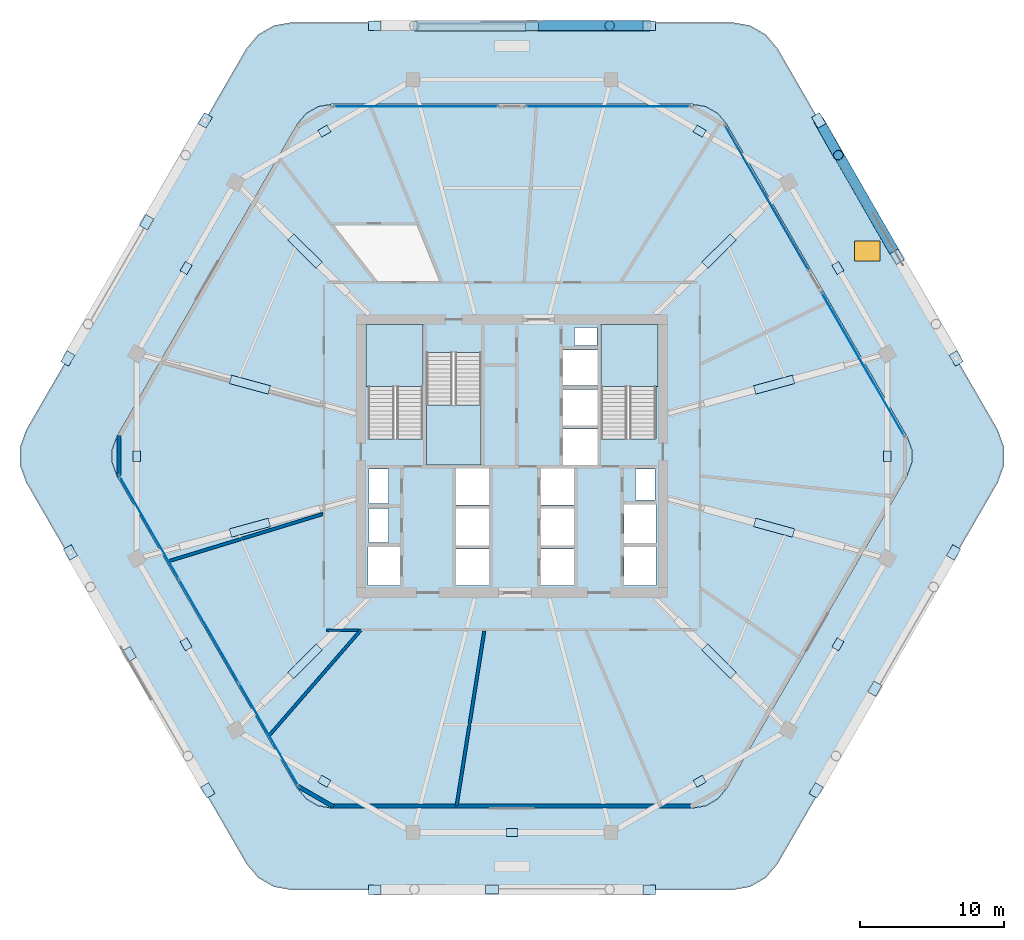
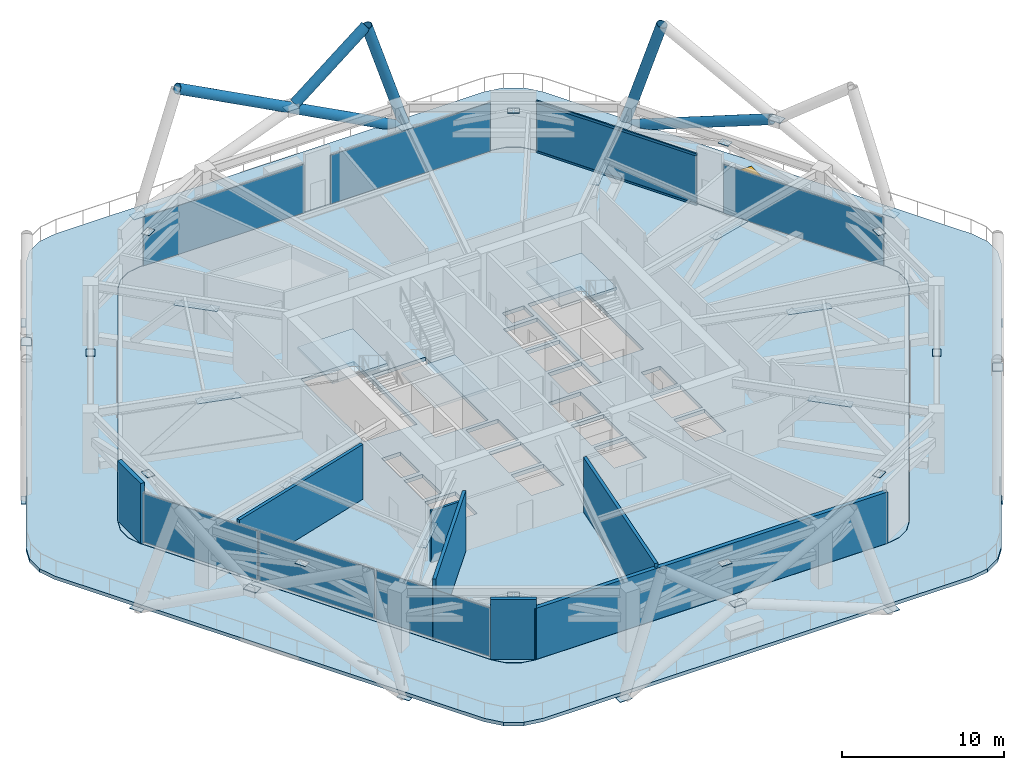
# One storey, part 12 of 20: 44 plates, 7 members, 7 walls, 5 slabs, 1 window, 1 opening, 8 elements without a shape of their own.
"""IFC4 building model written with IfcOpenShell, lengths in metres."""

from ifc_helpers import new_model, si_unit, direction, frame, frame_2d, origin, origin_2d, place, context, subcontext, project, spatial, polyline, rectangle, hollow_rectangle, hollow_circle, outline, extrude, material, layer, layer_set, material_profile, profile_set, type_object, element, fill, aggregate, save


model = new_model("IFC4")

# Units and contexts
model_context = context("Model", 3, precision=1e-05, world=origin(), true_north=direction((0.0, 1.0)))
body_context = subcontext(model_context, "Body", "Model", "MODEL_VIEW")
ifc_project = project(units=[si_unit("LENGTHUNIT", "METRE"), si_unit("AREAUNIT", "SQUARE_METRE"), si_unit("VOLUMEUNIT", "CUBIC_METRE"), si_unit("PLANEANGLEUNIT", "RADIAN"), si_unit("MASSUNIT", "GRAM", prefix="KILO")], contexts=[model_context])

# Site, building, storey
site_placement = place(None, origin())
site = spatial("IfcSite", under=ifc_project, at=site_placement, CompositionType="ELEMENT")
building_placement = place(site_placement, origin())
building = spatial("IfcBuilding", under=site, at=building_placement, Name="Zuhravey Tower", CompositionType="ELEMENT")
storey_placement = place(building_placement, frame((0.0, 0.0, 145.60009765625)))
storey = spatial("IfcBuildingStorey", under=building, at=storey_placement, Name="L36", CompositionType="ELEMENT", Elevation=145.60009765625)

# Members
ifc_material_1 = material(Name="Steel SM460", Category="steel")
ifc_material_profile_1 = material_profile(ifc_material_1, hollow_circle(Radius=0.355712890625, WallThickness=0.031982421875, at=origin_2d()), Name="CHS-711.2x32")
ifc_profile_set_1 = profile_set([ifc_material_profile_1], Name="Steel SM460")
member_type_1 = type_object("IfcMemberType", Name="Exoskeleton Zone 2 Diagrid CHS711x32", PredefinedType="BRACE", material=ifc_profile_set_1)
member_1_placement = place(storey_placement, frame((57.339111328125, 55.345703125, -0.47412109375), z_axis=(0.150143247355, -0.266653757917, 0.952025618701), x_axis=(0.871365298892, 0.490634809087, 0.0)))
element("IfcMember", 1, at=member_1_placement, inside=storey, type_object=member_type_1, Name="L36 Face 1 Diagrid Brace 4", PredefinedType="BRACE", context=body_context, shape_type="SweptSolid", body=[
    extrude(hollow_circle(Radius=0.355712890625, WallThickness=0.031982421875, at=origin_2d()), origin(), (0.0, 0.0, 1.0), 9.02294921875),
])
member_2_placement = place(storey_placement, frame((57.355712890625, 55.31689453125, -0.478271484375), z_axis=(0.464039168553, -0.806283617782, 0.366843805652), x_axis=(0.866708311418, 0.498815299404, 0.0)))
element("IfcMember", 2, at=member_2_placement, inside=storey, type_object=member_type_1, Name="L36 Face 1 Split Diagrid Brace 3A", PredefinedType="BRACE", context=body_context, shape_type="SweptSolid", body=[
    extrude(hollow_circle(Radius=0.355712890625, WallThickness=0.031982421875, at=origin_2d()), origin(), (0.0, 0.0, 1.0), 11.373779296875),
])
member_3_placement = place(storey_placement, frame((45.548583984375, 61.943115234375, -0.47412109375), z_axis=(-0.306022318215, 0.0, 0.95202433832), x_axis=(0.0, -1.0, 0.0)))
element("IfcMember", 3, at=member_3_placement, inside=storey, type_object=member_type_1, Name="L36 Face 2 Diagrid Brace 1", PredefinedType="BRACE", context=body_context, shape_type="SweptSolid", body=[
    extrude(hollow_circle(Radius=0.355712890625, WallThickness=0.031982421875, at=origin_2d()), origin(), (0.0, 0.0, 1.0), 9.02294921875),
])
member_4_placement = place(storey_placement, frame((45.51708984375, 61.943115234375, -0.47412109375), z_axis=(-0.884198660367, 0.0, 0.46711104569), x_axis=(0.0, -1.0, 0.0)))
element("IfcMember", 4, at=member_4_placement, inside=storey, type_object=member_type_1, Name="L36 Face 2 Diagrid Brace 2", PredefinedType="BRACE", context=body_context, shape_type="SweptSolid", body=[
    extrude(hollow_circle(Radius=0.355712890625, WallThickness=0.031982421875, at=origin_2d()), origin(), (0.0, 0.0, 1.0), 18.389892578125),
])
member_5_placement = place(storey_placement, frame((37.65673828125, 61.943115234375, 4.03662109375), z_axis=(0.780879769911, 0.0, 0.624681346724), x_axis=(0.0, 1.0, 0.0)))
element("IfcMember", 5, at=member_5_placement, inside=storey, type_object=member_type_1, Name="L36 Face 2 Split Diagrid Brace 3B", PredefinedType="BRACE", context=body_context, shape_type="SweptSolid", body=[
    extrude(hollow_circle(Radius=0.355712890625, WallThickness=0.031982421875, at=origin_2d()), origin(), (0.0, 0.0, 1.0), 6.519287109375),
])

# Curtain wall, members
ifc_material_2 = material(Name="Thermally broken anodised aluminium", Category="aluminium")
curtain_wall_type = type_object("IfcCurtainWallType", Name="Sky-Garden Tray Clerestory Curtain Wall CW5", PredefinedType="NOTDEFINED", material=ifc_material_2)
curtain_wall_1_placement = place(storey_placement, origin())
curtain_wall_1 = element("IfcCurtainWall", 6, at=curtain_wall_1_placement, inside=storey, type_object=curtain_wall_type, Name="L36 CW5 CW-L36-F1-1", PredefinedType="NOTDEFINED")
ifc_material_3 = material(Name="Anodised aluminium", Category="aluminium")
ifc_material_profile_2 = material_profile(ifc_material_3, hollow_rectangle(XDim=0.10009765625, YDim=0.179931640625, WallThickness=0.006103515625, at=origin_2d()), Name="ALU-RHS-100x180x6")
ifc_profile_set_2 = profile_set([ifc_material_profile_2], Name="Anodised aluminium")
member_type_2 = type_object("IfcMemberType", Name="Tall-Storey Transom 100x180", PredefinedType="USERDEFINED", material=ifc_profile_set_2)
member_6_placement = place(storey_placement, frame((50.870849609375, 54.908935546875, 0.0498046875), z_axis=(0.499994903902, -0.866028345998, 0.0), x_axis=(0.866028345998, 0.499994903902, 0.0)))
member_6 = element("IfcMember", 7, at=member_6_placement, type_object=member_type_2, Name="CW5 transom 1.1", ObjectType="TRANSOM", PredefinedType="USERDEFINED", context=body_context, shape_type="SweptSolid", body=[
    extrude(hollow_rectangle(XDim=0.10009765625, YDim=0.179931640625, WallThickness=0.006103515625, at=origin_2d()), origin(), (0.0, 0.0, 1.0), 11.4541015625),
])
member_7_placement = place(storey_placement, frame((50.870849609375, 54.908935546875, 3.81982421875), z_axis=(0.499994903902, -0.866028345998, 0.0), x_axis=(0.866028345998, 0.499994903902, 0.0)))
member_7 = element("IfcMember", 8, at=member_7_placement, type_object=member_type_2, Name="CW5 transom 1.2", ObjectType="TRANSOM", PredefinedType="USERDEFINED", context=body_context, shape_type="SweptSolid", body=[
    extrude(hollow_rectangle(XDim=0.10009765625, YDim=0.179931640625, WallThickness=0.006103515625, at=origin_2d()), origin(), (0.0, 0.0, 1.0), 11.4541015625),
])

# Plates
ifc_layer_1 = layer(ifc_material_1, 0.031982421875)
ifc_layer_set_1 = layer_set([ifc_layer_1], Name="Steel SM460")
plate_type_1 = type_object("IfcPlateType", Name="Belt Truss Setback Node Plate ND7", PredefinedType="SHEET", material=ifc_layer_set_1)
for number, where, z_axis, x_axis, name in (
    (9, (58.66650390625, 45.086669921875, 3.93408203125), (0.0, 0.0, 1.0), (-0.5, 0.866025403784, 0.0), "L36 Belt Truss Apex Gusset ND7-01"),
    (10, (49.0537109375, 54.60986328125, 3.93408203125), (0.0, 0.0, 1.0), (-0.866025403784, 0.5, 0.0), "L36 Belt Truss Apex Gusset ND7-02"),
    (11, (22.9462890625, 54.60986328125, 3.93408203125), (0.0, 0.0, 1.0), (-0.866025403784, -0.5, 0.0), "L36 Belt Truss Apex Gusset ND7-03"),
    (12, (13.33349609375, 45.086669921875, 3.93408203125), (0.0, 0.0, 1.0), (-0.5, -0.866025403784, 0.0), "L36 Belt Truss Apex Gusset ND7-04"),
    (13, (9.892333984375, 32.0, 3.93408203125), (0.0, 0.0, 1.0), (0.0, -1.0, 0.0), "L36 Belt Truss Apex Gusset ND7-05"),
    (14, (13.33349609375, 18.91357421875, 3.93408203125), (0.0, 0.0, 1.0), (0.5, -0.866025403784, 0.0), "L36 Belt Truss Apex Gusset ND7-06"),
    (15, (22.9462890625, 9.39013671875, 3.93408203125), (0.0, 0.0, 1.0), (0.866025403784, -0.5, 0.0), "L36 Belt Truss Apex Gusset ND7-07"),
    (16, (36.0, 5.826904296875, 3.93408203125), (0.0, 0.0, 1.0), (1.0, 0.0, 0.0), "L36 Belt Truss Apex Gusset ND7-08"),
    (17, (49.0537109375, 9.39013671875, 3.93408203125), (0.0, 0.0, 1.0), (0.866025403784, 0.5, 0.0), "L36 Belt Truss Apex Gusset ND7-09"),
    (18, (58.66650390625, 18.91357421875, 3.93408203125), (0.0, 0.0, 1.0), (0.5, 0.866025403784, 0.0), "L36 Belt Truss Apex Gusset ND7-10"),
    (19, (62.107666015625, 32.0, 3.93408203125), (0.0, 0.0, 1.0), (0.0, 1.0, 0.0), "L36 Belt Truss Apex Gusset ND7-11"),
):
    element("IfcPlate", number, at=place(storey_placement, frame(where, z_axis=z_axis, x_axis=x_axis)), inside=storey, type_object=plate_type_1, Name=name, PredefinedType="SHEET", context=body_context, shape_type="SweptSolid", body=[
        extrude(rectangle(XDim=0.739990234375, YDim=0.5400390625, at=origin_2d()), origin(), (0.0, 0.0, 1.0), 0.031982421875),
    ])
ifc_layer_2 = layer(ifc_material_1, 0.035888671875)
ifc_layer_set_2 = layer_set([ifc_layer_2], Name="Steel SM460")
plate_type_2 = type_object("IfcPlateType", Name="Exoskeleton Zone 2 Node Plate ND2", PredefinedType="SHEET", material=ifc_layer_set_2)
for number, where, z_axis, x_axis, name in (
    (20, (66.890869140625, 38.8017578125, -0.51220703125), (0.0, 0.0, 1.0), (-0.5, 0.866025403784, 0.0), "L36 Exoskeleton Node Gusset L36-01"),
    (21, (57.3359375, 55.351318359375, -0.51220703125), (0.0, 0.0, 1.0), (-0.5, 0.866025403784, 0.0), "L36 Exoskeleton Node Gusset L36-02"),
    (22, (45.554931640625, 61.943115234375, -0.51220703125), (0.0, 0.0, 1.0), (-1.0, 0.0, 0.0), "L36 Exoskeleton Node Gusset L36-03"),
    (23, (26.445068359375, 61.943115234375, -0.51220703125), (0.0, 0.0, 1.0), (-1.0, 0.0, 0.0), "L36 Exoskeleton Node Gusset L36-04"),
    (24, (14.6640625, 55.351318359375, -0.51220703125), (0.0, 0.0, 1.0), (-0.5, -0.866025403784, 0.0), "L36 Exoskeleton Node Gusset L36-05"),
    (25, (5.109130859375, 38.8017578125, -0.51220703125), (0.0, 0.0, 1.0), (-0.5, -0.866025403784, 0.0), "L36 Exoskeleton Node Gusset L36-06"),
    (26, (5.291015625, 25.30322265625, -0.51220703125), (0.0, 0.0, 1.0), (0.5, -0.866025403784, 0.0), "L36 Exoskeleton Node Gusset L36-07"),
    (27, (14.845947265625, 8.753662109375, -0.51220703125), (0.0, 0.0, 1.0), (0.5, -0.866025403784, 0.0), "L36 Exoskeleton Node Gusset L36-08"),
    (28, (26.445068359375, 1.846923828125, -0.51220703125), (0.0, 0.0, 1.0), (1.0, 0.0, 0.0), "L36 Exoskeleton Node Gusset L36-09"),
    (29, (45.554931640625, 1.846923828125, -0.51220703125), (0.0, 0.0, 1.0), (1.0, 0.0, 0.0), "L36 Exoskeleton Node Gusset L36-10"),
    (30, (57.154052734375, 8.753662109375, -0.51220703125), (0.0, 0.0, 1.0), (0.5, 0.866025403784, 0.0), "L36 Exoskeleton Node Gusset L36-11"),
    (31, (66.708984375, 25.30322265625, -0.51220703125), (0.0, 0.0, 1.0), (0.5, 0.866025403784, 0.0), "L36 Exoskeleton Node Gusset L36-12"),
    (32, (62.793701171875, 45.867919921875, 3.802734375), (0.0, 0.0, 1.0), (-0.5, 0.866025403784, 0.0), "L36 Face 1 Diagrid X-Crossing Plate"),
    (33, (37.386962890625, 61.943115234375, 3.802734375), (0.0, 0.0, 1.0), (-1.0, 0.0, 0.0), "L36 Face 2 Diagrid X-Crossing Plate"),
    (34, (10.593017578125, 48.270263671875, 3.802734375), (0.0, 0.0, 1.0), (-0.5, -0.866025403784, 0.0), "L36 Face 3 Diagrid X-Crossing Plate"),
    (35, (9.375, 18.2294921875, 3.802734375), (0.0, 0.0, 1.0), (0.5, -0.866025403784, 0.0), "L36 Face 4 Diagrid X-Crossing Plate"),
    (36, (34.613037109375, 1.86181640625, 3.802734375), (0.0, 0.0, 1.0), (1.0, 0.0, 0.0), "L36 Face 5 Diagrid X-Crossing Plate"),
    (37, (61.238037109375, 15.8271484375, 3.802734375), (0.0, 0.0, 1.0), (0.5, 0.866025403784, 0.0), "L36 Face 6 Diagrid X-Crossing Plate"),
):
    element("IfcPlate", number, at=place(storey_placement, frame(where, z_axis=z_axis, x_axis=x_axis)), inside=storey, type_object=plate_type_2, Name=name, PredefinedType="SHEET", context=body_context, shape_type="SweptSolid", body=[
        extrude(rectangle(XDim=0.8798828125, YDim=0.639892578125, at=origin_2d()), origin(), (0.0, 0.0, 1.0), 0.035888671875),
    ])
ifc_layer_3 = layer(ifc_material_1, 0.035888671875)
ifc_layer_set_3 = layer_set([ifc_layer_3], Name="Steel SM460")
plate_type_3 = type_object("IfcPlateType", Name="Outrigger Core Node Plate ND6", PredefinedType="SHEET", material=ifc_layer_set_3)
for number, where, z_axis, x_axis, name in (
    (38, (54.23095703125, 36.976318359375, 3.86328125), (0.0, 0.0, 1.0), (0.964695449838, 0.263367972734, 0.0), "L36 Outrigger Apex Node Plate ND6-01M"),
    (39, (50.40185546875, 46.267822265625, 3.86328125), (0.0, 0.0, 1.0), (0.71043107985, 0.703766780108, 0.0), "L36 Outrigger Apex Node Plate ND6-02M"),
    (40, (21.59814453125, 46.267822265625, 3.86328125), (0.0, 0.0, 1.0), (-0.71043107985, 0.703766780108, 0.0), "L36 Outrigger Apex Node Plate ND6-03M"),
    (41, (17.76904296875, 36.976318359375, 3.86328125), (0.0, 0.0, 1.0), (-0.964695449838, 0.263367972734, 0.0), "L36 Outrigger Apex Node Plate ND6-04M"),
    (42, (17.76904296875, 27.023681640625, 3.86328125), (0.0, 0.0, 1.0), (-0.964695449838, -0.263367972734, 0.0), "L36 Outrigger Apex Node Plate ND6-05M"),
    (43, (21.59814453125, 17.732177734375, 3.86328125), (0.0, 0.0, 1.0), (-0.71043107985, -0.703766780108, 0.0), "L36 Outrigger Apex Node Plate ND6-06M"),
    (44, (50.40185546875, 17.732177734375, 3.86328125), (0.0, 0.0, 1.0), (0.71043107985, -0.703766780108, 0.0), "L36 Outrigger Apex Node Plate ND6-07M"),
    (45, (54.23095703125, 27.023681640625, 3.86328125), (0.0, 0.0, 1.0), (0.964695449838, -0.263367972734, 0.0), "L36 Outrigger Apex Node Plate ND6-08M"),
):
    element("IfcPlate", number, at=place(storey_placement, frame(where, z_axis=z_axis, x_axis=x_axis)), inside=storey, type_object=plate_type_3, Name=name, PredefinedType="SHEET", context=body_context, shape_type="SweptSolid", body=[
        extrude(rectangle(XDim=2.800048828125, YDim=0.60009765625, at=origin_2d()), origin(), (0.0, 0.0, 1.0), 0.035888671875),
    ])

# Slab
ifc_material_4 = material(Name="Concrete C50/60", Category="concrete")
ifc_layer_4 = layer(ifc_material_4, 0.280029296875)
ifc_layer_set_4 = layer_set([ifc_layer_4], Name="Concrete C50/60")
slab_type_1 = type_object("IfcSlabType", Name="School Composite Floor Slab 280", PredefinedType="FLOOR", material=ifc_layer_set_4)
slab_1_placement = place(storey_placement, frame((0.0, 0.0, -0.280029296875)))
element("IfcSlab", 46, at=slab_1_placement, inside=storey, type_object=slab_type_1, Name="L36 Floor Slab FS28", PredefinedType="FLOOR", context=body_context, shape_type="SweptSolid", body=[
    extrude(outline(polyline([(63.465087890625, 30.625), (63.7919921875, 31.5224609375), (63.7919921875, 32.4775390625), (63.465087890625, 33.375), (50.92333984375, 55.09814453125), (50.3095703125, 55.82958984375), (49.482421875, 56.307373046875), (48.541748046875, 56.47314453125), (23.458251953125, 56.47314453125), (22.517578125, 56.307373046875), (21.6904296875, 55.82958984375), (21.07666015625, 55.09814453125), (8.534912109375, 33.375), (8.2080078125, 32.4775390625), (8.2080078125, 31.5224609375), (8.534912109375, 30.625), (21.07666015625, 8.90185546875), (21.6904296875, 8.17041015625), (22.517578125, 7.692626953125), (23.458251953125, 7.52685546875), (48.541748046875, 7.52685546875), (49.482421875, 7.692626953125), (50.3095703125, 8.17041015625), (50.92333984375, 8.90185546875), (63.465087890625, 30.625)]), holes=[polyline([(29.800048828125, 33.20068359375), (29.800048828125, 41.0), (26.0, 41.0), (26.0, 33.20068359375), (29.800048828125, 33.20068359375)]), polyline([(46.0, 33.20068359375), (46.0, 41.0), (42.199951171875, 41.0), (42.199951171875, 33.20068359375), (46.0, 33.20068359375)]), polyline([(30.050048828125, 39.199462890625), (30.050048828125, 31.39990234375), (33.85009765625, 31.39990234375), (33.85009765625, 39.199462890625), (30.050048828125, 39.199462890625)]), polyline([(32.10009765625, 23.0), (34.39990234375, 23.0), (34.39990234375, 25.550048828125), (32.10009765625, 25.550048828125), (32.10009765625, 23.0)]), polyline([(32.10009765625, 25.800048828125), (34.39990234375, 25.800048828125), (34.39990234375, 28.35009765625), (32.10009765625, 28.35009765625), (32.10009765625, 25.800048828125)]), polyline([(32.10009765625, 28.60009765625), (34.39990234375, 28.60009765625), (34.39990234375, 31.14990234375), (32.10009765625, 31.14990234375), (32.10009765625, 28.60009765625)]), polyline([(38.0, 23.0), (40.300048828125, 23.0), (40.300048828125, 25.550048828125), (38.0, 25.550048828125), (38.0, 23.0)]), polyline([(38.0, 25.800048828125), (40.300048828125, 25.800048828125), (40.300048828125, 28.35009765625), (38.0, 28.35009765625), (38.0, 25.800048828125)]), polyline([(38.0, 28.60009765625), (40.300048828125, 28.60009765625), (40.300048828125, 31.14990234375), (38.0, 31.14990234375), (38.0, 28.60009765625)]), polyline([(39.550048828125, 31.39990234375), (41.949951171875, 31.39990234375), (41.949951171875, 33.89990234375), (39.550048828125, 33.89990234375), (39.550048828125, 31.39990234375)]), polyline([(39.550048828125, 34.14990234375), (41.949951171875, 34.14990234375), (41.949951171875, 36.64990234375), (39.550048828125, 36.64990234375), (39.550048828125, 34.14990234375)]), polyline([(39.550048828125, 36.89990234375), (41.949951171875, 36.89990234375), (41.949951171875, 39.39990234375), (39.550048828125, 39.39990234375), (39.550048828125, 36.89990234375)]), polyline([(26.0, 23.0), (28.199951171875, 23.0), (28.199951171875, 25.699951171875), (26.0, 25.699951171875), (26.0, 23.0)]), polyline([(43.800048828125, 23.0), (46.0, 23.0), (46.0, 25.699951171875), (43.800048828125, 25.699951171875), (43.800048828125, 23.0)]), polyline([(43.800048828125, 25.949951171875), (46.0, 25.949951171875), (46.0, 28.64990234375), (43.800048828125, 28.64990234375), (43.800048828125, 25.949951171875)]), polyline([(26.050048828125, 26.0), (27.39990234375, 26.0), (27.39990234375, 28.35009765625), (26.050048828125, 28.35009765625), (26.050048828125, 26.0)]), polyline([(26.050048828125, 28.699951171875), (27.39990234375, 28.699951171875), (27.39990234375, 31.10009765625), (26.050048828125, 31.10009765625), (26.050048828125, 28.699951171875)]), polyline([(44.60009765625, 28.949951171875), (45.949951171875, 28.949951171875), (45.949951171875, 31.10009765625), (44.60009765625, 31.10009765625), (44.60009765625, 28.949951171875)]), polyline([(40.35009765625, 39.699951171875), (41.89990234375, 39.699951171875), (41.89990234375, 40.949951171875), (40.35009765625, 40.949951171875), (40.35009765625, 39.699951171875)])]), origin(), (0.0, 0.0, 1.0), 0.280029296875),
])

# Slab, opening, window
ifc_layer_5 = layer(ifc_material_4, 0.260009765625)
ifc_layer_set_5 = layer_set([ifc_layer_5], Name="Concrete C50/60")
slab_type_2 = type_object("IfcSlabType", Name="Sky-Playground & Garden Tray Slab 260", PredefinedType="FLOOR", material=ifc_layer_set_5)
slab_2_placement = place(storey_placement, frame((0.0, 0.0, -0.260009765625)))
slab_2 = element("IfcSlab", 47, at=slab_2_placement, inside=storey, type_object=slab_type_2, Name="L36 Sky-Garden Perimeter Tray GT26", PredefinedType="FLOOR", context=body_context, shape_type="SweptSolid", body=[
    extrude(outline(polyline([(69.787109375, 30.175048828125), (70.220703125, 31.3662109375), (70.220703125, 32.6337890625), (69.787109375, 33.824951171875), (54.47412109375, 60.34814453125), (53.6591796875, 61.319091796875), (52.5615234375, 61.952880859375), (51.31298828125, 62.173095703125), (20.68701171875, 62.173095703125), (19.4384765625, 61.952880859375), (18.3408203125, 61.319091796875), (17.52587890625, 60.34814453125), (2.212890625, 33.824951171875), (1.779296875, 32.6337890625), (1.779296875, 31.3662109375), (2.212890625, 30.175048828125), (17.52587890625, 3.65185546875), (18.3408203125, 2.680908203125), (19.4384765625, 2.047119140625), (20.68701171875, 1.826904296875), (51.31298828125, 1.826904296875), (52.5615234375, 2.047119140625), (53.6591796875, 2.680908203125), (54.47412109375, 3.65185546875), (69.787109375, 30.175048828125)]), holes=[polyline([(63.480224609375, 30.625), (63.806884765625, 31.5224609375), (63.806884765625, 32.4775390625), (63.480224609375, 33.375), (50.930908203125, 55.111083984375), (50.31689453125, 55.8427734375), (49.489990234375, 56.3203125), (48.54931640625, 56.486083984375), (23.45068359375, 56.486083984375), (22.510009765625, 56.3203125), (21.68310546875, 55.8427734375), (21.069091796875, 55.111083984375), (8.519775390625, 33.375), (8.193115234375, 32.4775390625), (8.193115234375, 31.5224609375), (8.519775390625, 30.625), (21.069091796875, 8.888916015625), (21.68310546875, 8.1572265625), (22.510009765625, 7.6796875), (23.45068359375, 7.513916015625), (48.54931640625, 7.513916015625), (49.489990234375, 7.6796875), (50.31689453125, 8.1572265625), (50.930908203125, 8.888916015625), (63.480224609375, 30.625)])]), origin(), (0.0, 0.0, 1.0), 0.260009765625),
])
opening_placement = place(slab_2_placement, frame((60.71240234375, 46.267578125, 0.0)))
opening = element("IfcOpeningElement", 48, at=opening_placement, cuts=slab_2, Name="Opening RL1", PredefinedType="OPENING", context=body_context, shape_type="SweptSolid", body=[
    extrude(rectangle(XDim=1.800048828125, YDim=1.39990234375, at=origin_2d()), origin(), (0.0, 0.0, 1.0), 0.260009765625),
])
ifc_material_5 = material(Name="Thermally broken aluminium and laminated safety glass", Category="aluminium")
window_type = type_object("IfcWindowType", Name="Play-Deck Daylight Rooflight 1800x2200", PartitioningType="SINGLE_PANEL", PredefinedType="SKYLIGHT", material=ifc_material_5)
window_placement = place(opening_placement, frame((0.0, 0.0, 0.2099609375)))
window = element("IfcWindow", 49, at=window_placement, inside=storey, type_object=window_type, Name="L36 Play-Deck Daylight Rooflight RL1-1", OverallHeight=1.39990234375, OverallWidth=1.800048828125, PartitioningType="SINGLE_PANEL", PredefinedType="SKYLIGHT", context=body_context, shape_type="SweptSolid", body=[
    extrude(rectangle(XDim=1.800048828125, YDim=1.39990234375, at=origin_2d()), origin(), (0.0, 0.0, 1.0), 0.050048828125),
])
fill(opening, window)

# Stair, slab
ifc_material_6 = material(Name="Concrete C40/50", Category="concrete")
stair_type = type_object("IfcStairType", Name="Refuge Storey Stair Assembly 4800", PredefinedType="HALF_TURN_STAIR", material=ifc_material_6)
stair_1_placement = place(storey_placement, origin())
stair_1 = element("IfcStair", 50, at=stair_1_placement, inside=storey, type_object=stair_type, Name="L36 Core Exit Stair ST1", PredefinedType="HALF_TURN_STAIR")
ifc_layer_6 = layer(ifc_material_6, 0.199951171875)
ifc_layer_set_6 = layer_set([ifc_layer_6], Name="Concrete C40/50")
slab_type_3 = type_object("IfcSlabType", Name="Stair Landing Slab 200", PredefinedType="LANDING", material=ifc_layer_set_6)
slab_3_placement = place(storey_placement, frame((0.0, 0.0, 2.199951171875)))
slab_3 = element("IfcSlab", 51, at=slab_3_placement, type_object=slab_type_3, Name="ST1 landing 1", PredefinedType="LANDING", context=body_context, shape_type="SweptSolid", body=[
    extrude(outline(polyline([(29.800048828125, 36.840087890625), (29.800048828125, 41.14794921875), (25.85205078125, 41.14794921875), (25.85205078125, 36.840087890625), (29.800048828125, 36.840087890625)])), origin(), (0.0, 0.0, 1.0), 0.199951171875),
])
aggregate(stair_1, [slab_3])

stair_2_placement = place(storey_placement, origin())
stair_2 = element("IfcStair", 52, at=stair_2_placement, inside=storey, type_object=stair_type, Name="L36 Core Exit Stair ST2", PredefinedType="HALF_TURN_STAIR")
slab_4_placement = place(storey_placement, frame((0.0, 0.0, 2.199951171875)))
slab_4 = element("IfcSlab", 53, at=slab_4_placement, type_object=slab_type_3, Name="ST2 landing 1", PredefinedType="LANDING", context=body_context, shape_type="SweptSolid", body=[
    extrude(outline(polyline([(46.14794921875, 36.840087890625), (46.14794921875, 41.14794921875), (42.199951171875, 41.14794921875), (42.199951171875, 36.840087890625), (46.14794921875, 36.840087890625)])), origin(), (0.0, 0.0, 1.0), 0.199951171875),
])
aggregate(stair_2, [slab_4])

stair_3_placement = place(storey_placement, origin())
stair_3 = element("IfcStair", 54, at=stair_3_placement, inside=storey, type_object=stair_type, Name="L36 Core Exit Stair ST3", PredefinedType="HALF_TURN_STAIR")
slab_5_placement = place(storey_placement, frame((0.0, 0.0, 2.199951171875)))
slab_5 = element("IfcSlab", 55, at=slab_5_placement, type_object=slab_type_3, Name="ST3 landing 1", PredefinedType="LANDING", context=body_context, shape_type="SweptSolid", body=[
    extrude(outline(polyline([(30.050048828125, 35.56005859375), (30.050048828125, 31.39990234375), (33.85009765625, 31.39990234375), (33.85009765625, 35.56005859375), (30.050048828125, 35.56005859375)])), origin(), (0.0, 0.0, 1.0), 0.199951171875),
])
aggregate(stair_3, [slab_5])

# Curtain wall, plates
curtain_wall_2_placement = place(storey_placement, origin())
curtain_wall_2 = element("IfcCurtainWall", 56, at=curtain_wall_2_placement, inside=storey, type_object=curtain_wall_type, Name="L36 CW5 CW-L36-F4-1", PredefinedType="NOTDEFINED")
ifc_material_7 = material(Name="Triple low-E insulated vision glass", Category="glass")
ifc_layer_7 = layer(ifc_material_7, 0.0419921875)
ifc_layer_set_7 = layer_set([ifc_layer_7], Name="Triple low-E insulated vision glass")
plate_type_4 = type_object("IfcPlateType", Name="Triple Low-E Vision Panel", PredefinedType="CURTAIN_PANEL", material=ifc_layer_set_7)
plate_1_placement = place(storey_placement, frame((19.08251953125, 12.6357421875, 0.099853515625), z_axis=(0.0, 0.0, 1.0), x_axis=(-0.499999704154, 0.866025574591, 0.0)))
plate_1 = element("IfcPlate", 57, at=plate_1_placement, type_object=plate_type_4, Name="CW5 panel 1.1", PredefinedType="CURTAIN_PANEL", context=body_context, shape_type="SweptSolid", body=[
    extrude(rectangle(XDim=8.186279296875, YDim=0.0419921875, at=origin_2d()), origin(), (0.0, 0.0, 1.0), 3.669921875),
])
plate_2_placement = place(storey_placement, frame((14.927001953125, 19.83349609375, 0.099853515625), z_axis=(0.0, 0.0, 1.0), x_axis=(-0.499999704154, 0.866025574591, 0.0)))
plate_2 = element("IfcPlate", 58, at=plate_2_placement, type_object=plate_type_4, Name="CW5 panel 2.1", PredefinedType="CURTAIN_PANEL", context=body_context, shape_type="SweptSolid", body=[
    extrude(rectangle(XDim=8.236083984375, YDim=0.0419921875, at=origin_2d()), origin(), (0.0, 0.0, 1.0), 3.669921875),
])
plate_3_placement = place(storey_placement, frame((10.771240234375, 27.03125, 0.099853515625), z_axis=(0.0, 0.0, 1.0), x_axis=(-0.499999704154, 0.866025574591, 0.0)))
plate_3 = element("IfcPlate", 59, at=plate_3_placement, type_object=plate_type_4, Name="CW5 panel 3.1", PredefinedType="CURTAIN_PANEL", context=body_context, shape_type="SweptSolid", body=[
    extrude(rectangle(XDim=8.186279296875, YDim=0.0419921875, at=origin_2d()), origin(), (0.0, 0.0, 1.0), 3.669921875),
])
aggregate(curtain_wall_2, [plate_1, plate_2, plate_3])

# Curtain wall, plate
curtain_wall_3_placement = place(storey_placement, origin())
curtain_wall_3 = element("IfcCurtainWall", 60, at=curtain_wall_3_placement, inside=storey, type_object=curtain_wall_type, Name="L36 CW5 CW-L36-F2-1", PredefinedType="NOTDEFINED")
plate_4_placement = place(storey_placement, frame((29.32275390625, 56.3330078125, 0.099853515625), z_axis=(0.0, 0.0, 1.0), x_axis=(1.0, 0.0, 0.0)))
plate_4 = element("IfcPlate", 61, at=plate_4_placement, type_object=plate_type_4, Name="CW5 panel 1.1", PredefinedType="CURTAIN_PANEL", context=body_context, shape_type="SweptSolid", body=[
    extrude(rectangle(XDim=11.454345703125, YDim=0.0419921875, at=origin_2d()), origin(), (0.0, 0.0, 1.0), 3.669921875),
])
aggregate(curtain_wall_3, [plate_4])

curtain_wall_4_placement = place(storey_placement, origin())
curtain_wall_4 = element("IfcCurtainWall", 62, at=curtain_wall_4_placement, inside=storey, type_object=curtain_wall_type, Name="L36 CW5 CW-L36-F2-2", PredefinedType="NOTDEFINED")
plate_5_placement = place(storey_placement, frame((42.67724609375, 56.3330078125, 0.099853515625), z_axis=(0.0, 0.0, 1.0), x_axis=(1.0, 0.0, 0.0)))
plate_5 = element("IfcPlate", 63, at=plate_5_placement, type_object=plate_type_4, Name="CW5 panel 1.1", PredefinedType="CURTAIN_PANEL", context=body_context, shape_type="SweptSolid", body=[
    extrude(rectangle(XDim=11.454345703125, YDim=0.0419921875, at=origin_2d()), origin(), (0.0, 0.0, 1.0), 3.669921875),
])
aggregate(curtain_wall_4, [plate_5])

# Plate
plate_6_placement = place(storey_placement, frame((53.734375, 49.94921875, 0.099853515625), z_axis=(0.0, 0.0, 1.0), x_axis=(0.499997520307, -0.866026835431, 0.0)))
plate_6 = element("IfcPlate", 64, at=plate_6_placement, type_object=plate_type_4, Name="CW5 panel 1.1", PredefinedType="CURTAIN_PANEL", context=body_context, shape_type="SweptSolid", body=[
    extrude(rectangle(XDim=11.454345703125, YDim=0.0419921875, at=origin_2d()), origin(), (0.0, 0.0, 1.0), 3.669921875),
])

aggregate(curtain_wall_1, [member_6, member_7, plate_6])

# Curtain wall, plate
curtain_wall_5_placement = place(storey_placement, origin())
curtain_wall_5 = element("IfcCurtainWall", 65, at=curtain_wall_5_placement, inside=storey, type_object=curtain_wall_type, Name="L36 CW5 CW-L36-F1-2", PredefinedType="NOTDEFINED")
plate_7_placement = place(storey_placement, frame((60.41162109375, 38.384033203125, 0.099853515625), z_axis=(0.0, 0.0, 1.0), x_axis=(0.50000395571, -0.866023119942, 0.0)))
plate_7 = element("IfcPlate", 66, at=plate_7_placement, type_object=plate_type_4, Name="CW5 panel 1.1", PredefinedType="CURTAIN_PANEL", context=body_context, shape_type="SweptSolid", body=[
    extrude(rectangle(XDim=11.454345703125, YDim=0.0419921875, at=origin_2d()), origin(), (0.0, 0.0, 1.0), 3.669921875),
])
aggregate(curtain_wall_5, [plate_7])

# Walls
ifc_material_8 = material(Name="Gypsum fire-rated stud partition")
ifc_layer_8 = layer(ifc_material_8, 0.159912109375)
ifc_layer_set_8 = layer_set([ifc_layer_8], Name="Gypsum fire-rated stud partition")
wall_type_1 = type_object("IfcWallType", Name="Corridor Fire Partition 160", PredefinedType="PARTITIONING", material=ifc_layer_set_8)
wall_1_placement = place(storey_placement, frame((23.10009765625, 19.89990234375, 0.0), z_axis=(0.0, 0.0, 1.0), x_axis=(1.0, 0.0, 0.0)))
element("IfcWall", 67, at=wall_1_placement, inside=storey, type_object=wall_type_1, Name="L36 IW16 Partition 055", PredefinedType="PARTITIONING", context=body_context, shape_type="SweptSolid", body=[
    extrude(rectangle(XDim=2.22509765625, YDim=0.159912109375, at=frame_2d((1.112548828125, 0.0))), origin(), (0.0, 0.0, 1.0), 3.89990234375),
])
ifc_material_9 = material(Name="Precast concrete C40/50", Category="concrete")
ifc_layer_9 = layer(ifc_material_9, 0.280029296875)
ifc_layer_set_9 = layer_set([ifc_layer_9], Name="Precast concrete C40/50")
wall_type_2 = type_object("IfcWallType", Name="Crown Architectural Wall 280", PredefinedType="SOLIDWALL", material=ifc_layer_set_9)
wall_2_placement = place(storey_placement, frame((48.599365234375, 7.6669921875, 0.0), z_axis=(0.0, 0.0, 1.0), x_axis=(-1.0, 0.0, 0.0)))
element("IfcWall", 68, at=wall_2_placement, inside=storey, type_object=wall_type_2, Name="L36 Face 5 Plant Enclosure Wall EW28", PredefinedType="SOLIDWALL", context=body_context, shape_type="SweptSolid", body=[
    extrude(rectangle(XDim=25.19873046875, YDim=0.280029296875, at=frame_2d((12.599365234375, 0.0))), origin(), (0.0, 0.0, 1.0), 3.869873046875),
])
wall_3_placement = place(storey_placement, frame((23.577880859375, 7.619384765625, 0.0), z_axis=(0.0, 0.0, 1.0), x_axis=(-0.866011042223, 0.500024874128, 0.0)))
element("IfcWall", 69, at=wall_3_placement, inside=storey, type_object=wall_type_2, Name="L36 Rounded Corner Closure Wall EW28-04", PredefinedType="SOLIDWALL", context=body_context, shape_type="SweptSolid", body=[
    extrude(rectangle(XDim=2.864990234375, YDim=0.280029296875, at=frame_2d((1.4326171875, 0.0))), origin(), (0.0, 0.0, 1.0), 4.5498046875),
])
wall_4_placement = place(storey_placement, frame((8.6748046875, 30.5673828125, 0.0), z_axis=(0.0, 0.0, 1.0), x_axis=(0.0, 1.0, 0.0)))
element("IfcWall", 70, at=wall_4_placement, inside=storey, type_object=wall_type_2, Name="L36 Rounded Corner Closure Wall EW28-06", PredefinedType="SOLIDWALL", context=body_context, shape_type="SweptSolid", body=[
    extrude(rectangle(XDim=2.865234375, YDim=0.280029296875, at=frame_2d((1.4326171875, 0.0))), origin(), (0.0, 0.0, 1.0), 4.5498046875),
])
ifc_material_10 = material(Name="Gypsum acoustic stud assembly")
ifc_layer_10 = layer(ifc_material_10, 0.219970703125)
ifc_layer_set_10 = layer_set([ifc_layer_10], Name="Gypsum acoustic stud assembly")
wall_type_3 = type_object("IfcWallType", Name="School Acoustic Compartment Wall 220", PredefinedType="PARTITIONING", material=ifc_layer_set_10)
wall_5_placement = place(storey_placement, frame((22.83203125, 27.97412109375, 0.0), z_axis=(0.0, 0.0, 1.0), x_axis=(-0.956302838065, -0.292377977812, 0.0)))
element("IfcWall", 71, at=wall_5_placement, inside=storey, type_object=wall_type_3, Name="L36 IW22 Partition 047", PredefinedType="PARTITIONING", context=body_context, shape_type="SweptSolid", body=[
    extrude(rectangle(XDim=11.203369140625, YDim=0.219970703125, at=frame_2d((5.6015625, 0.0))), origin(), (0.0, 0.0, 1.0), 4.14990234375),
])
wall_6_placement = place(storey_placement, frame((25.4990234375, 19.919921875, 0.0), z_axis=(0.0, 0.0, 1.0), x_axis=(-0.656061907087, -0.754707078322, 0.0)))
element("IfcWall", 72, at=wall_6_placement, inside=storey, type_object=wall_type_3, Name="L36 IW22 Partition 048", PredefinedType="PARTITIONING", context=body_context, shape_type="SweptSolid", body=[
    extrude(rectangle(XDim=9.72900390625, YDim=0.219970703125, at=frame_2d((4.864501953125, 0.0))), origin(), (0.0, 0.0, 1.0), 4.5498046875),
])
wall_7_placement = place(storey_placement, frame((34.07275390625, 19.83203125, 0.0), z_axis=(0.0, 0.0, 1.0), x_axis=(-0.156434853857, -0.987688279013, 0.0)))
element("IfcWall", 73, at=wall_7_placement, inside=storey, type_object=wall_type_3, Name="L36 IW22 Partition 049", PredefinedType="PARTITIONING", context=body_context, shape_type="SweptSolid", body=[
    extrude(rectangle(XDim=12.316650390625, YDim=0.219970703125, at=frame_2d((6.158203125, 0.0))), origin(), (0.0, 0.0, 1.0), 4.14990234375),
])

save(model, "model.ifc")
